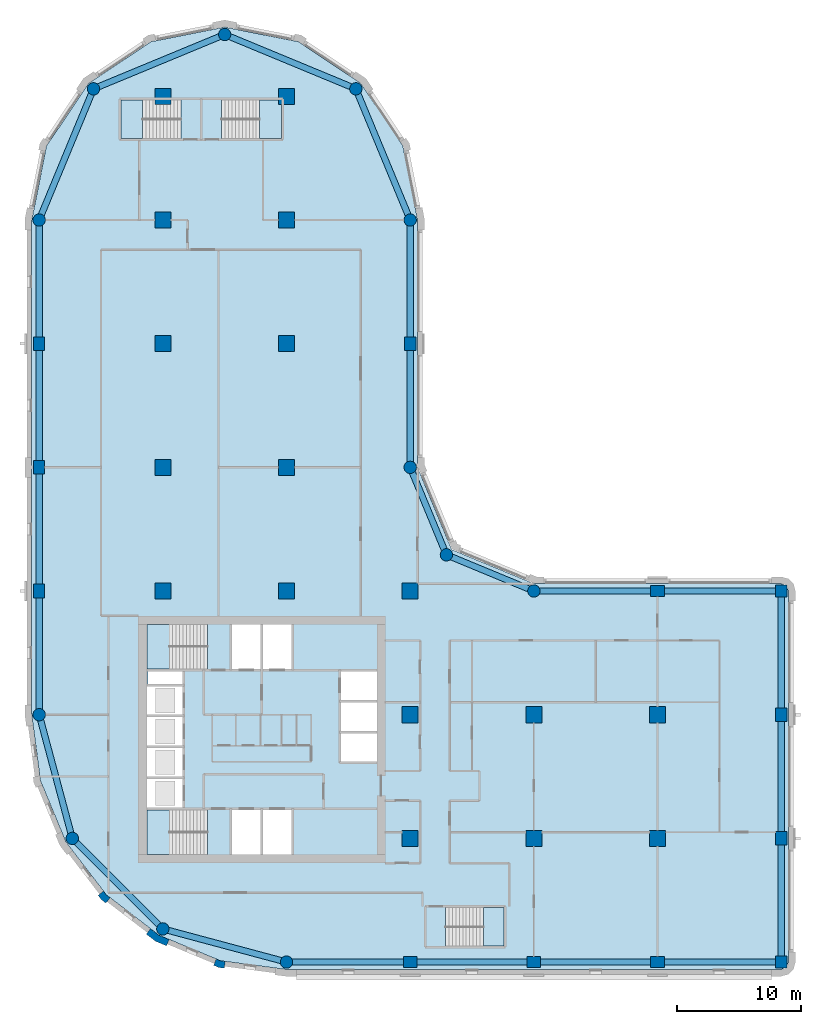
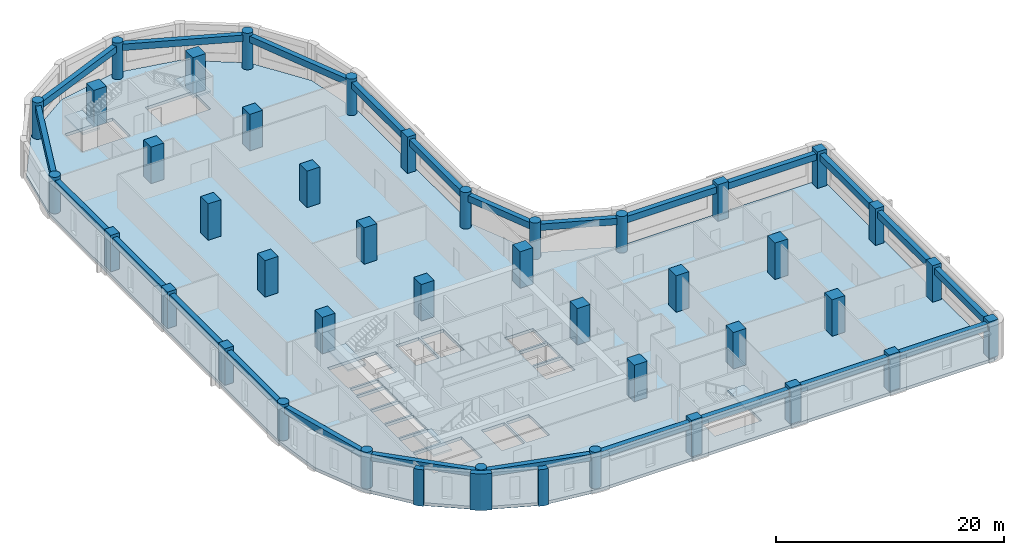
# One storey, part 1 of 10: 41 columns, 24 beams, 6 slabs, 3 walls, 5 elements without a shape of their own.
"""IFC4 building model written with IfcOpenShell, lengths in metres."""

from ifc_helpers import new_model, si_unit, direction, frame, origin, origin_2d, place, context, subcontext, project, spatial, polyline, rectangle, circle, outline, extrude, material, layer, layer_set, material_profile, profile_set, type_object, element, aggregate, save


model = new_model("IFC4")

# Units and contexts
model_context = context("Model", 3, precision=1e-05, world=origin(), true_north=direction((0.0, 1.0)))
body_context = subcontext(model_context, "Body", "Model", "MODEL_VIEW")
ifc_project = project(units=[si_unit("LENGTHUNIT", "METRE"), si_unit("AREAUNIT", "SQUARE_METRE"), si_unit("VOLUMEUNIT", "CUBIC_METRE"), si_unit("PLANEANGLEUNIT", "RADIAN"), si_unit("MASSUNIT", "GRAM", prefix="KILO")], contexts=[model_context])

# Site, building, storey
site_placement = place(None, origin())
site = spatial("IfcSite", under=ifc_project, at=site_placement, CompositionType="ELEMENT")
building_placement = place(site_placement, origin())
building = spatial("IfcBuilding", under=site, at=building_placement, Name="Qaws Garden Tower", CompositionType="ELEMENT")
storey_placement = place(building_placement, frame((0.0, 0.0, 186.300048828125)))
storey = spatial("IfcBuildingStorey", under=building, at=storey_placement, Name="L45", CompositionType="ELEMENT", Elevation=186.300048828125)

# Columns
ifc_material_1 = material(Name="Concrete C70", Category="concrete")
ifc_material_profile_1 = material_profile(ifc_material_1, rectangle(XDim=1.10009765625, YDim=0.89990234375, at=origin_2d()), Name="RC 1100x900")
ifc_profile_set_1 = profile_set([ifc_material_profile_1], Name="Concrete C70")
column_type_1 = type_object("IfcColumnType", Name="Column RC 1100x900 C70", PredefinedType="COLUMN", material=ifc_profile_set_1)
for number, where, z_axis, x_axis, name in (
    (1, (30.0, 0.0, 0.0), (0.0, 0.0, 1.0), (1.0, 0.0, 0.0), "Column L45-002"),
    (2, (40.0, 0.0, 0.0), (0.0, 0.0, 1.0), (1.0, 0.0, 0.0), "Column L45-003"),
    (3, (50.0, 0.0, 0.0), (0.0, 0.0, 1.0), (1.0, 0.0, 0.0), "Column L45-004"),
    (4, (60.0, 10.0, 0.0), (0.0, 0.0, 1.0), (0.0, 1.0, 0.0), "Column L45-006"),
    (5, (60.0, 20.0, 0.0), (0.0, 0.0, 1.0), (0.0, 1.0, 0.0), "Column L45-007"),
    (6, (50.0, 30.0, 0.0), (0.0, 0.0, 1.0), (1.0, 0.0, 0.0), "Column L45-009"),
    (7, (30.0, 50.0, 0.0), (0.0, 0.0, 1.0), (0.0, 1.0, 0.0), "Column L45-013"),
    (8, (0.0, 50.0, 0.0), (0.0, 0.0, 1.0), (0.0, 1.0, 0.0), "Column L45-019"),
    (9, (0.0, 40.0, 0.0), (0.0, 0.0, 1.0), (0.0, 1.0, 0.0), "Column L45-020"),
    (10, (0.0, 30.0, 0.0), (0.0, 0.0, 1.0), (0.0, 1.0, 0.0), "Column L45-021"),
):
    element("IfcColumn", number, at=place(storey_placement, frame(where, z_axis=z_axis, x_axis=x_axis)), inside=storey, type_object=column_type_1, Name=name, PredefinedType="COLUMN", context=body_context, shape_type="SweptSolid", body=[
        extrude(rectangle(XDim=1.10009765625, YDim=0.89990234375, at=origin_2d()), origin(), (0.0, 0.0, 1.0), 3.89990234375),
    ])
ifc_material_2 = material(Name="Concrete C70", Category="concrete")
ifc_material_profile_2 = material_profile(ifc_material_2, rectangle(XDim=1.300048828125, YDim=1.300048828125, at=origin_2d()), Name="RC 1300x1300")
ifc_profile_set_2 = profile_set([ifc_material_profile_2], Name="Concrete C70")
column_type_2 = type_object("IfcColumnType", Name="Column RC 1300x1300 C70", PredefinedType="COLUMN", material=ifc_profile_set_2)
for number, where, z_axis, x_axis, name in (
    (11, (10.0, 30.0, 0.0), (0.0, 0.0, 1.0), (1.0, 0.0, 0.0), "Column L45-025"),
    (12, (10.0, 40.0, 0.0), (0.0, 0.0, 1.0), (1.0, 0.0, 0.0), "Column L45-026"),
    (13, (10.0, 50.0, 0.0), (0.0, 0.0, 1.0), (1.0, 0.0, 0.0), "Column L45-027"),
    (14, (10.0, 60.0, 0.0), (0.0, 0.0, 1.0), (1.0, 0.0, 0.0), "Column L45-028"),
    (15, (10.0, 70.0, 0.0), (0.0, 0.0, 1.0), (1.0, 0.0, 0.0), "Column L45-029"),
    (16, (20.0, 30.0, 0.0), (0.0, 0.0, 1.0), (1.0, 0.0, 0.0), "Column L45-030"),
    (17, (20.0, 40.0, 0.0), (0.0, 0.0, 1.0), (1.0, 0.0, 0.0), "Column L45-031"),
    (18, (20.0, 50.0, 0.0), (0.0, 0.0, 1.0), (1.0, 0.0, 0.0), "Column L45-032"),
    (19, (20.0, 60.0, 0.0), (0.0, 0.0, 1.0), (1.0, 0.0, 0.0), "Column L45-033"),
    (20, (20.0, 70.0, 0.0), (0.0, 0.0, 1.0), (1.0, 0.0, 0.0), "Column L45-034"),
    (21, (30.0, 10.0, 0.0), (0.0, 0.0, 1.0), (1.0, 0.0, 0.0), "Column L45-035"),
    (22, (30.0, 20.0, 0.0), (0.0, 0.0, 1.0), (1.0, 0.0, 0.0), "Column L45-036"),
    (23, (30.0, 30.0, 0.0), (0.0, 0.0, 1.0), (1.0, 0.0, 0.0), "Column L45-037"),
    (24, (40.0, 10.0, 0.0), (0.0, 0.0, 1.0), (1.0, 0.0, 0.0), "Column L45-038"),
    (25, (40.0, 20.0, 0.0), (0.0, 0.0, 1.0), (1.0, 0.0, 0.0), "Column L45-039"),
    (26, (50.0, 10.0, 0.0), (0.0, 0.0, 1.0), (1.0, 0.0, 0.0), "Column L45-040"),
    (27, (50.0, 20.0, 0.0), (0.0, 0.0, 1.0), (1.0, 0.0, 0.0), "Column L45-041"),
):
    element("IfcColumn", number, at=place(storey_placement, frame(where, z_axis=z_axis, x_axis=x_axis)), inside=storey, type_object=column_type_2, Name=name, PredefinedType="COLUMN", context=body_context, shape_type="SweptSolid", body=[
        extrude(rectangle(XDim=1.300048828125, YDim=1.300048828125, at=origin_2d()), origin(), (0.0, 0.0, 1.0), 3.89990234375),
    ])
ifc_material_3 = material(Name="Concrete C70", Category="concrete")
ifc_material_profile_3 = material_profile(ifc_material_3, rectangle(XDim=0.949951171875, YDim=0.949951171875, at=origin_2d()), Name="RC 950x950")
ifc_profile_set_3 = profile_set([ifc_material_profile_3], Name="Concrete C70")
column_type_3 = type_object("IfcColumnType", Name="Column RC 950x950 C70", PredefinedType="COLUMN", material=ifc_profile_set_3)
for number, where, z_axis, x_axis, name in (
    (28, (60.0, 0.0, 0.0), (0.0, 0.0, 1.0), (1.0, 0.0, 0.0), "Column L45-005"),
    (29, (60.0, 30.0, 0.0), (0.0, 0.0, 1.0), (1.0, 0.0, 0.0), "Column L45-008"),
):
    element("IfcColumn", number, at=place(storey_placement, frame(where, z_axis=z_axis, x_axis=x_axis)), inside=storey, type_object=column_type_3, Name=name, PredefinedType="COLUMN", context=body_context, shape_type="SweptSolid", body=[
        extrude(rectangle(XDim=0.949951171875, YDim=0.949951171875, at=origin_2d()), origin(), (0.0, 0.0, 1.0), 3.89990234375),
    ])
ifc_material_4 = material(Name="Concrete C70", Category="concrete")
ifc_material_profile_4 = material_profile(ifc_material_4, circle(Radius=0.5, at=origin_2d()), Name="RC D1000")
ifc_profile_set_4 = profile_set([ifc_material_profile_4], Name="Concrete C70")
column_type_4 = type_object("IfcColumnType", Name="Column RC D1000 C70", PredefinedType="COLUMN", material=ifc_profile_set_4)
for number, where, z_axis, x_axis, name in (
    (30, (20.0, 0.0, 0.0), (0.0, 0.0, 1.0), (1.0, 0.0, 0.0), "Column L45-001"),
    (31, (40.0, 30.0, 0.0), (0.0, 0.0, 1.0), (1.0, 0.0, 0.0), "Column L45-010"),
    (32, (32.928955078125, 32.928955078125, 0.0), (0.0, 0.0, 1.0), (1.0, 0.0, 0.0), "Column L45-011"),
    (33, (30.0, 40.0, 0.0), (0.0, 0.0, 1.0), (1.0, 0.0, 0.0), "Column L45-012"),
    (34, (30.0, 60.0, 0.0), (0.0, 0.0, 1.0), (1.0, 0.0, 0.0), "Column L45-014"),
    (35, (25.606689453125, 70.606689453125, 0.0), (0.0, 0.0, 1.0), (1.0, 0.0, 0.0), "Column L45-015"),
    (36, (15.0, 75.0, 0.0), (0.0, 0.0, 1.0), (1.0, 0.0, 0.0), "Column L45-016"),
    (37, (4.393310546875, 70.606689453125, 0.0), (0.0, 0.0, 1.0), (1.0, 0.0, 0.0), "Column L45-017"),
    (38, (0.0, 60.0, 0.0), (0.0, 0.0, 1.0), (1.0, 0.0, 0.0), "Column L45-018"),
    (39, (0.0, 20.0, 0.0), (0.0, 0.0, 1.0), (1.0, 0.0, 0.0), "Column L45-022"),
    (40, (2.679443359375, 10.0, 0.0), (0.0, 0.0, 1.0), (1.0, 0.0, 0.0), "Column L45-023"),
    (41, (10.0, 2.679443359375, 0.0), (0.0, 0.0, 1.0), (1.0, 0.0, 0.0), "Column L45-024"),
):
    element("IfcColumn", number, at=place(storey_placement, frame(where, z_axis=z_axis, x_axis=x_axis)), inside=storey, type_object=column_type_4, Name=name, PredefinedType="COLUMN", context=body_context, shape_type="SweptSolid", body=[
        extrude(circle(Radius=0.5, at=origin_2d()), origin(), (0.0, 0.0, 1.0), 3.89990234375),
    ])

# Beams
ifc_material_5 = material(Name="Concrete C45", Category="concrete")
ifc_material_profile_5 = material_profile(ifc_material_5, rectangle(XDim=0.5, YDim=0.699951171875, at=origin_2d()), Name="RC 500x700")
ifc_profile_set_5 = profile_set([ifc_material_profile_5], Name="Concrete C45")
beam_type = type_object("IfcBeamType", Name="Spandrel beam RC 500x700 C45", PredefinedType="SPANDREL", material=ifc_profile_set_5)
for number, where, z_axis, x_axis, name in (
    (42, (20.0, 0.0, 3.22998046875), (1.0, 0.0, 0.0), (0.0, 1.0, 0.0), "Spandrel beam L45-001"),
    (43, (30.0, 0.0, 3.22998046875), (1.0, 0.0, 0.0), (0.0, 1.0, 0.0), "Spandrel beam L45-002"),
    (44, (40.0, 0.0, 3.22998046875), (1.0, 0.0, 0.0), (0.0, 1.0, 0.0), "Spandrel beam L45-003"),
    (45, (50.0, 0.0, 3.22998046875), (1.0, 0.0, 0.0), (0.0, 1.0, 0.0), "Spandrel beam L45-004"),
    (46, (60.0, 0.0, 3.22998046875), (0.0, 1.0, 0.0), (-1.0, 0.0, 0.0), "Spandrel beam L45-005"),
    (47, (60.0, 10.0, 3.22998046875), (0.0, 1.0, 0.0), (-1.0, 0.0, 0.0), "Spandrel beam L45-006"),
    (48, (60.0, 20.0, 3.22998046875), (0.0, 1.0, 0.0), (-1.0, 0.0, 0.0), "Spandrel beam L45-007"),
    (49, (60.0, 30.0, 3.22998046875), (-1.0, 0.0, 0.0), (0.0, -1.0, 0.0), "Spandrel beam L45-008"),
    (50, (50.0, 30.0, 3.22998046875), (-1.0, 0.0, 0.0), (0.0, -1.0, 0.0), "Spandrel beam L45-009"),
):
    element("IfcBeam", number, at=place(storey_placement, frame(where, z_axis=z_axis, x_axis=x_axis)), inside=storey, type_object=beam_type, Name=name, PredefinedType="SPANDREL", context=body_context, shape_type="SweptSolid", body=[
        extrude(rectangle(XDim=0.5, YDim=0.699951171875, at=origin_2d()), origin(), (0.0, 0.0, 1.0), 10.0),
    ])
for number, where, z_axis, x_axis, name in (
    (51, (40.0, 30.0, 3.22998046875), (-0.923878037141, 0.382687042488, 0.0), (-0.382687042488, -0.923878037141, 0.0), "Spandrel beam L45-010"),
    (52, (32.928955078125, 32.928955078125, 3.22998046875), (-0.382687042488, 0.923878037141, 0.0), (-0.923878037141, -0.382687042488, 0.0), "Spandrel beam L45-011"),
):
    element("IfcBeam", number, at=place(storey_placement, frame(where, z_axis=z_axis, x_axis=x_axis)), inside=storey, type_object=beam_type, Name=name, PredefinedType="SPANDREL", context=body_context, shape_type="SweptSolid", body=[
        extrude(rectangle(XDim=0.5, YDim=0.699951171875, at=origin_2d()), origin(), (0.0, 0.0, 1.0), 7.653564453125),
    ])
for number, where, z_axis, x_axis, name in (
    (53, (30.0, 40.0, 3.22998046875), (0.0, 1.0, 0.0), (-1.0, 0.0, 0.0), "Spandrel beam L45-012"),
    (54, (30.0, 50.0, 3.22998046875), (0.0, 1.0, 0.0), (-1.0, 0.0, 0.0), "Spandrel beam L45-013"),
):
    element("IfcBeam", number, at=place(storey_placement, frame(where, z_axis=z_axis, x_axis=x_axis)), inside=storey, type_object=beam_type, Name=name, PredefinedType="SPANDREL", context=body_context, shape_type="SweptSolid", body=[
        extrude(rectangle(XDim=0.5, YDim=0.699951171875, at=origin_2d()), origin(), (0.0, 0.0, 1.0), 10.0),
    ])
for number, where, z_axis, x_axis, name in (
    (55, (30.0, 60.0, 3.22998046875), (-0.382674207535, 0.923883353507, 0.0), (-0.923883353507, -0.382674207535, 0.0), "Spandrel beam L45-014"),
    (56, (25.606689453125, 70.606689453125, 3.22998046875), (-0.923883353507, 0.382674207535, 0.0), (-0.382674207535, -0.923883353507, 0.0), "Spandrel beam L45-015"),
    (57, (15.0, 75.0, 3.22998046875), (-0.923883353507, -0.382674207535, 0.0), (0.382674207535, -0.923883353507, 0.0), "Spandrel beam L45-016"),
    (58, (4.393310546875, 70.606689453125, 3.22998046875), (-0.382674207535, -0.923883353507, 0.0), (0.923883353507, -0.382674207535, 0.0), "Spandrel beam L45-017"),
):
    element("IfcBeam", number, at=place(storey_placement, frame(where, z_axis=z_axis, x_axis=x_axis)), inside=storey, type_object=beam_type, Name=name, PredefinedType="SPANDREL", context=body_context, shape_type="SweptSolid", body=[
        extrude(rectangle(XDim=0.5, YDim=0.699951171875, at=origin_2d()), origin(), (0.0, 0.0, 1.0), 11.48046875),
    ])
for number, where, z_axis, x_axis, name in (
    (59, (0.0, 60.0, 3.22998046875), (0.0, -1.0, 0.0), (1.0, 0.0, 0.0), "Spandrel beam L45-018"),
    (60, (0.0, 50.0, 3.22998046875), (0.0, -1.0, 0.0), (1.0, 0.0, 0.0), "Spandrel beam L45-019"),
    (61, (0.0, 40.0, 3.22998046875), (0.0, -1.0, 0.0), (1.0, 0.0, 0.0), "Spandrel beam L45-020"),
    (62, (0.0, 30.0, 3.22998046875), (0.0, -1.0, 0.0), (1.0, 0.0, 0.0), "Spandrel beam L45-021"),
):
    element("IfcBeam", number, at=place(storey_placement, frame(where, z_axis=z_axis, x_axis=x_axis)), inside=storey, type_object=beam_type, Name=name, PredefinedType="SPANDREL", context=body_context, shape_type="SweptSolid", body=[
        extrude(rectangle(XDim=0.5, YDim=0.699951171875, at=origin_2d()), origin(), (0.0, 0.0, 1.0), 10.0),
    ])
for number, where, z_axis, x_axis, name in (
    (63, (0.0, 20.0, 3.22998046875), (0.25881466832, -0.965926999034, 0.0), (0.965926999034, 0.25881466832, 0.0), "Spandrel beam L45-022"),
    (64, (2.679443359375, 10.0, 3.22998046875), (0.707106781187, -0.707106781187, 0.0), (0.707106781187, 0.707106781187, 0.0), "Spandrel beam L45-023"),
    (65, (10.0, 2.679443359375, 3.22998046875), (0.965926999034, -0.25881466832, 0.0), (0.25881466832, 0.965926999034, 0.0), "Spandrel beam L45-024"),
):
    element("IfcBeam", number, at=place(storey_placement, frame(where, z_axis=z_axis, x_axis=x_axis)), inside=storey, type_object=beam_type, Name=name, PredefinedType="SPANDREL", context=body_context, shape_type="SweptSolid", body=[
        extrude(rectangle(XDim=0.5, YDim=0.699951171875, at=origin_2d()), origin(), (0.0, 0.0, 1.0), 10.352783203125),
    ])

# Slab
ifc_material_6 = material(Name="Concrete C40", Category="concrete")
ifc_layer_1 = layer(ifc_material_6, 0.320068359375)
ifc_layer_set_1 = layer_set([ifc_layer_1], Name="Concrete C40")
slab_type_1 = type_object("IfcSlabType", Name="Floor slab 320 C40", PredefinedType="FLOOR", material=ifc_layer_set_1)
slab_1_placement = place(storey_placement, frame((0.0, 0.0, -0.320068359375)))
element("IfcSlab", 66, at=slab_1_placement, inside=storey, type_object=slab_type_1, Name="Floor slab L45", PredefinedType="FLOOR", context=body_context, shape_type="SweptSolid", body=[
    extrude(outline(polyline([(0.101806640625, 14.668212890625), (-0.60009765625, 20.0), (-0.60009765625, 30.60009765625), (-0.60009765625, 60.0), (-0.60009765625, 60.0), (0.58740234375, 65.969970703125), (3.968994140625, 71.031005859375), (9.030029296875, 74.41259765625), (15.0, 75.60009765625), (20.969970703125, 74.41259765625), (26.031005859375, 71.031005859375), (29.41259765625, 65.969970703125), (30.60009765625, 60.0), (30.60009765625, 40.0), (33.353271484375, 33.353271484375), (40.0, 30.60009765625), (60.0, 30.60009765625), (60.42431640625, 30.42431640625), (60.60009765625, 30.0), (60.60009765625, 0.0), (60.42431640625, -0.42431640625), (60.0, -0.60009765625), (30.60009765625, -0.60009765625), (20.0, -0.60009765625), (14.668212890625, 0.101806640625), (9.699951171875, 2.159912109375), (5.43359375, 5.43359375), (2.159912109375, 9.699951171875), (0.101806640625, 14.668212890625)]), holes=[polyline([(13.599609375, 12.300048828125), (8.699951171875, 12.300048828125), (8.699951171875, 8.699951171875), (13.599609375, 8.699951171875), (13.599609375, 12.300048828125)]), polyline([(17.89990234375, 12.300048828125), (15.60009765625, 12.300048828125), (15.60009765625, 8.699951171875), (17.89990234375, 8.699951171875), (17.89990234375, 12.300048828125)]), polyline([(11.60009765625, 14.800048828125), (8.699951171875, 14.800048828125), (8.699951171875, 12.5), (11.60009765625, 12.5), (11.60009765625, 14.800048828125)]), polyline([(11.60009765625, 17.300048828125), (8.699951171875, 17.300048828125), (8.699951171875, 15.0), (11.60009765625, 15.0), (11.60009765625, 17.300048828125)]), polyline([(11.60009765625, 19.800048828125), (8.699951171875, 19.800048828125), (8.699951171875, 17.5), (11.60009765625, 17.5), (11.60009765625, 19.800048828125)]), polyline([(11.60009765625, 22.300048828125), (8.699951171875, 22.300048828125), (8.699951171875, 20.0), (11.60009765625, 20.0), (11.60009765625, 22.300048828125)]), polyline([(11.60009765625, 23.5), (8.800048828125, 23.5), (8.800048828125, 22.5), (11.60009765625, 22.5), (11.60009765625, 23.5)]), polyline([(13.599609375, 27.300048828125), (8.699951171875, 27.300048828125), (8.699951171875, 23.699951171875), (13.599609375, 23.699951171875), (13.599609375, 27.300048828125)]), polyline([(11.449462890625, 69.699951171875), (6.60009765625, 69.699951171875), (6.60009765625, 66.60009765625), (11.449462890625, 66.60009765625), (11.449462890625, 69.699951171875)]), polyline([(37.60009765625, 4.39990234375), (32.8505859375, 4.39990234375), (32.8505859375, 1.300048828125), (37.60009765625, 1.300048828125), (37.60009765625, 4.39990234375)]), polyline([(20.39990234375, 12.300048828125), (18.10009765625, 12.300048828125), (18.10009765625, 8.699951171875), (20.39990234375, 8.699951171875), (20.39990234375, 12.300048828125)]), polyline([(27.300048828125, 18.5), (24.39990234375, 18.5), (24.39990234375, 16.199951171875), (27.300048828125, 16.199951171875), (27.300048828125, 18.5)]), polyline([(27.300048828125, 21.0), (24.39990234375, 21.0), (24.39990234375, 18.699951171875), (27.300048828125, 18.699951171875), (27.300048828125, 21.0)]), polyline([(27.300048828125, 23.5), (24.39990234375, 23.5), (24.39990234375, 21.199951171875), (27.300048828125, 21.199951171875), (27.300048828125, 23.5)]), polyline([(17.89990234375, 27.300048828125), (15.60009765625, 27.300048828125), (15.60009765625, 23.699951171875), (17.89990234375, 23.699951171875), (17.89990234375, 27.300048828125)]), polyline([(20.39990234375, 23.699951171875), (20.39990234375, 27.300048828125), (18.10009765625, 27.300048828125), (18.10009765625, 23.699951171875), (20.39990234375, 23.699951171875)]), polyline([(19.60009765625, 66.60009765625), (19.60009765625, 69.699951171875), (14.75048828125, 69.699951171875), (14.75048828125, 66.60009765625), (19.60009765625, 66.60009765625)])]), origin(), (0.0, 0.0, 1.0), 0.320068359375),
])

# Stair, slab
ifc_material_7 = material(Name="Concrete C40", Category="concrete")
stair_type_1 = type_object("IfcStairType", Name="Exit stair 1500", PredefinedType="HALF_TURN_STAIR", material=ifc_material_7)
placement_1 = place(storey_placement, origin())
stair_1 = element("IfcStair", 67, at=placement_1, inside=storey, type_object=stair_type_1, Name="Stair 1", PredefinedType="HALF_TURN_STAIR")
ifc_material_8 = material(Name="Concrete C40", Category="concrete")
ifc_layer_2 = layer(ifc_material_8, 0.199951171875)
ifc_layer_set_2 = layer_set([ifc_layer_2], Name="Concrete C40")
slab_type_2 = type_object("IfcSlabType", Name="Stair landing 200", PredefinedType="LANDING", material=ifc_layer_set_2)
placement_2 = place(storey_placement, frame((0.0, 0.0, 1.75)))
slab_2 = element("IfcSlab", 68, at=placement_2, type_object=slab_type_2, Name="ST1 landing 1", PredefinedType="LANDING", context=body_context, shape_type="SweptSolid", body=[
    extrude(outline(polyline([(8.699951171875, 8.699951171875), (10.52001953125, 8.699951171875), (10.52001953125, 12.300048828125), (8.699951171875, 12.300048828125), (8.699951171875, 8.699951171875)])), origin(), (0.0, 0.0, 1.0), 0.199951171875),
])
aggregate(stair_1, [slab_2])

stair_2 = element("IfcStair", 69, at=placement_1, inside=storey, type_object=stair_type_1, Name="Stair 4", PredefinedType="HALF_TURN_STAIR")
slab_3 = element("IfcSlab", 70, at=placement_2, type_object=slab_type_2, Name="ST4 landing 1", PredefinedType="LANDING", context=body_context, shape_type="SweptSolid", body=[
    extrude(outline(polyline([(8.699951171875, 23.699951171875), (10.52001953125, 23.699951171875), (10.52001953125, 27.300048828125), (8.699951171875, 27.300048828125), (8.699951171875, 23.699951171875)])), origin(), (0.0, 0.0, 1.0), 0.199951171875),
])
aggregate(stair_2, [slab_3])

ifc_material_9 = material(Name="Concrete C40", Category="concrete")
stair_type_2 = type_object("IfcStairType", Name="Exit stair 1350", PredefinedType="HALF_TURN_STAIR", material=ifc_material_9)
stair_3 = element("IfcStair", 71, at=placement_1, inside=storey, type_object=stair_type_2, Name="Stair 5", PredefinedType="HALF_TURN_STAIR")
slab_4 = element("IfcSlab", 72, at=placement_2, type_object=slab_type_2, Name="ST5 landing 1", PredefinedType="LANDING", context=body_context, shape_type="SweptSolid", body=[
    extrude(outline(polyline([(35.929931640625, 1.300048828125), (37.60009765625, 1.300048828125), (37.60009765625, 4.39990234375), (35.929931640625, 4.39990234375), (35.929931640625, 1.300048828125)])), origin(), (0.0, 0.0, 1.0), 0.199951171875),
])
aggregate(stair_3, [slab_4])

stair_4 = element("IfcStair", 73, at=placement_1, inside=storey, type_object=stair_type_2, Name="Stair 6", PredefinedType="HALF_TURN_STAIR")
slab_5 = element("IfcSlab", 74, at=placement_2, type_object=slab_type_2, Name="ST6 landing 1", PredefinedType="LANDING", context=body_context, shape_type="SweptSolid", body=[
    extrude(outline(polyline([(6.60009765625, 66.60009765625), (8.3701171875, 66.60009765625), (8.3701171875, 69.699951171875), (6.60009765625, 69.699951171875), (6.60009765625, 66.60009765625)])), origin(), (0.0, 0.0, 1.0), 0.199951171875),
])
aggregate(stair_4, [slab_5])

stair_5 = element("IfcStair", 75, at=placement_1, inside=storey, type_object=stair_type_2, Name="Stair 7", PredefinedType="HALF_TURN_STAIR")
slab_6 = element("IfcSlab", 76, at=placement_2, type_object=slab_type_2, Name="ST7 landing 1", PredefinedType="LANDING", context=body_context, shape_type="SweptSolid", body=[
    extrude(outline(polyline([(17.830078125, 66.60009765625), (19.60009765625, 66.60009765625), (19.60009765625, 69.699951171875), (17.830078125, 69.699951171875), (17.830078125, 66.60009765625)])), origin(), (0.0, 0.0, 1.0), 0.199951171875),
])
aggregate(stair_5, [slab_6])

# Walls
ifc_material_10 = material(Name="Clay facing brick masonry", Category="masonry")
ifc_layer_3 = layer(ifc_material_10, 0.550048828125)
ifc_layer_set_3 = layer_set([ifc_layer_3], Name="Clay facing brick masonry")
wall_type_1 = type_object("IfcWallType", Name="Brick kink pier 550 x 600", PredefinedType="SOLIDWALL", material=ifc_layer_set_3)
element("IfcWall", 77, at=placement_1, inside=storey, type_object=wall_type_1, Name="E-L45-pier-28", PredefinedType="SOLIDWALL", context=body_context, shape_type="SweptSolid", body=[
    extrude(outline(polyline([(4.8818359375, 5.487060546875), (4.762939453125, 5.395751953125), (5.03759765625, 5.03759765625), (5.395751953125, 4.762939453125), (5.487060546875, 4.8818359375), (5.730712890625, 5.19921875), (5.429931640625, 5.429931640625), (5.19921875, 5.730712890625), (4.8818359375, 5.487060546875)])), origin(), (0.0, 0.0, 1.0), 3.89990234375),
])
element("IfcWall", 78, at=placement_1, inside=storey, type_object=wall_type_1, Name="E-L45-pier-30", PredefinedType="SOLIDWALL", context=body_context, shape_type="SweptSolid", body=[
    extrude(outline(polyline([(14.163818359375, -0.127685546875), (14.1064453125, -0.26611328125), (14.5234375, -0.43896484375), (14.970947265625, -0.497802734375), (14.990478515625, -0.34912109375), (15.042724609375, 0.04736328125), (14.6669921875, 0.096923828125), (14.31689453125, 0.241943359375), (14.163818359375, -0.127685546875)])), origin(), (0.0, 0.0, 1.0), 3.89990234375),
])
ifc_material_11 = material(Name="Clay facing brick masonry", Category="masonry")
ifc_layer_4 = layer(ifc_material_11, 0.550048828125)
ifc_layer_set_4 = layer_set([ifc_layer_4], Name="Clay facing brick masonry")
wall_type_2 = type_object("IfcWallType", Name="Brick pier 550 x 1600", PredefinedType="SOLIDWALL", material=ifc_layer_set_4)
element("IfcWall", 79, at=placement_1, inside=storey, type_object=wall_type_2, Name="E-L45-pier-29", PredefinedType="SOLIDWALL", context=body_context, shape_type="SweptSolid", body=[
    extrude(outline(polyline([(8.756591796875, 2.373046875), (8.665283203125, 2.254150390625), (9.419921875, 1.675048828125), (10.299072265625, 1.310791015625), (10.3564453125, 1.449462890625), (10.509521484375, 1.819091796875), (9.697509765625, 2.1552734375), (9.0, 2.6904296875), (8.756591796875, 2.373046875)])), origin(), (0.0, 0.0, 1.0), 3.89990234375),
])

save(model, "model.ifc")
